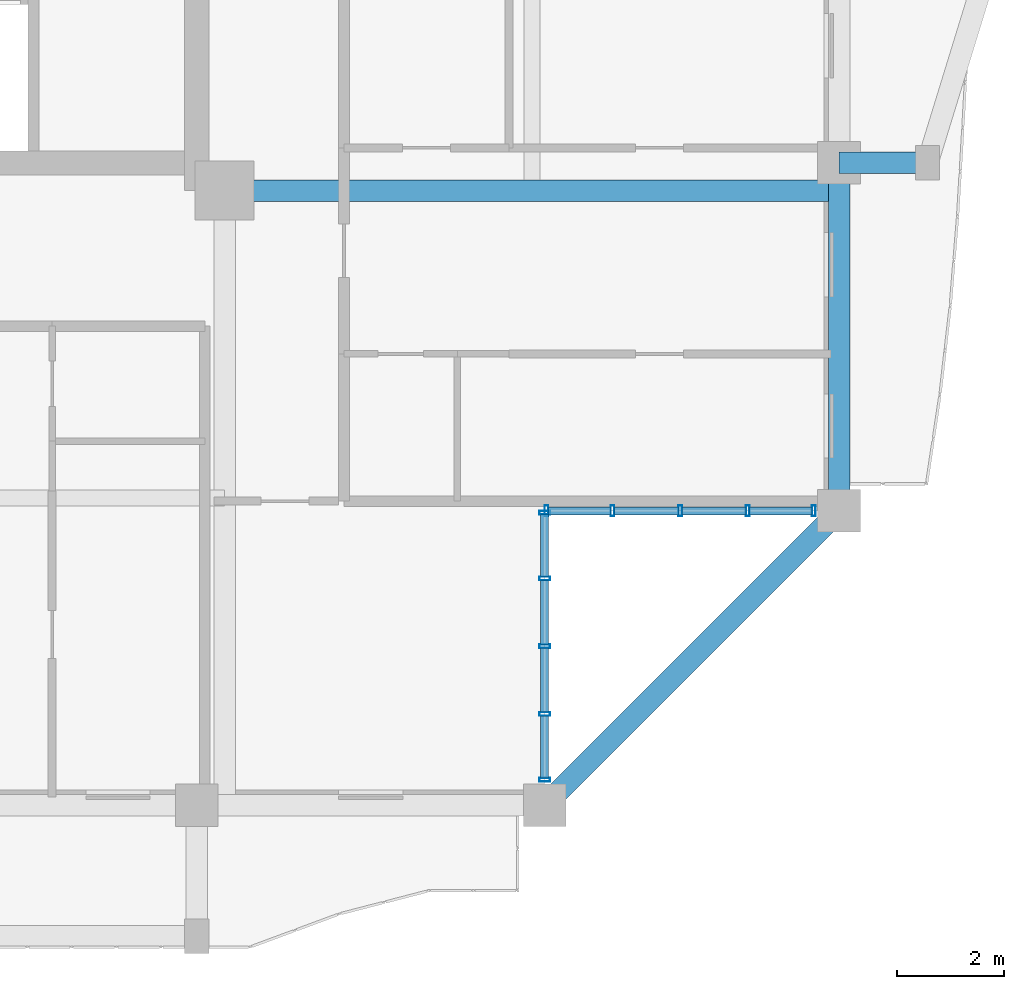
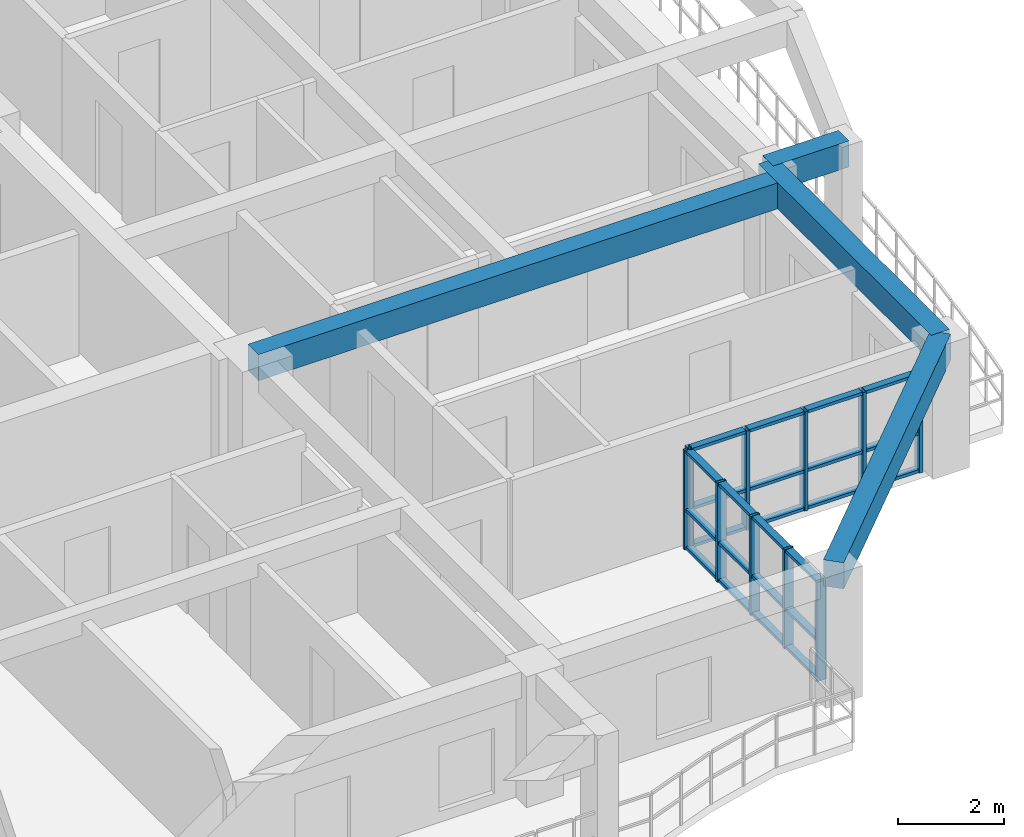
# One storey, part 4 of 22: 34 members, 4 beams, 2 elements without a shape of their own.
"""IFC4 building model written with IfcOpenShell, lengths in metres."""

import ifcopenshell
import ifcopenshell.guid

model = None  # the IFC model being written
_history = None  # IfcOwnerHistory: only IFC2X3 demands one
_inside = {}  # id of a spatial element -> (the spatial element, [elements in it])
_under = {}  # id of a project, library or spatial element -> (it, [spatial elements below it])
_declared = {}  # id of a project -> (the project, [libraries it declares])
_typed = {}  # id of a type object -> (the type object, [elements of that type])
_made_of = {}  # id of a material, layer set ... -> (it, [elements and type objects made of it])


def new_model(schema):
    """Start an empty IFC model of exactly this schema.

    Asked for "IFC4X3", IfcOpenShell would pick the latest addendum, in which some entities
    have other attributes; the version numbers below select the first issue.
    IFC2X3 requires an IfcOwnerHistory on every rooted entity: one is made here for all.
    """
    global model, _history
    if schema == "IFC4X3":
        model = ifcopenshell.file(schema_version=(4, 3, 0, 0))
    else:
        model = ifcopenshell.file(schema=schema)
    _inside.clear()
    _under.clear()
    _declared.clear()
    _typed.clear()
    _made_of.clear()
    _history = None
    if model.schema == "IFC2X3":
        org = make("IfcOrganization", Name="unknown")
        user = make(
            "IfcPersonAndOrganization",
            ThePerson=make("IfcPerson", FamilyName="unknown"),
            TheOrganization=org,
        )
        app = make(
            "IfcApplication",
            ApplicationDeveloper=org,
            Version="unknown",
            ApplicationFullName="unknown",
            ApplicationIdentifier="unknown",
        )
        _history = make(
            "IfcOwnerHistory",
            OwningUser=user,
            OwningApplication=app,
            ChangeAction="ADDED",
            CreationDate=0,
        )
    return model


def make(cls, **values):
    """One entity of the class cls with the attributes given. An attribute that is None is left unset."""
    return model.create_entity(
        cls, **{name: value for name, value in values.items() if value is not None}
    )


def rooted(cls, **values):
    """An entity with a GlobalId (a new one), such as an element, a storey or a relation."""
    return make(cls, GlobalId=ifcopenshell.guid.new(), OwnerHistory=_history, **values)


def si_unit(unit_type, name, prefix=None):
    """IfcSIUnit, for example si_unit("LENGTHUNIT", "METRE", prefix="MILLI")."""
    return make("IfcSIUnit", UnitType=unit_type, Prefix=prefix, Name=name)


def assignment(units):
    """IfcUnitAssignment: the units of a project."""
    return None if units is None else make("IfcUnitAssignment", Units=units)


def point(xyz):
    """IfcCartesianPoint."""
    return None if xyz is None else make("IfcCartesianPoint", Coordinates=xyz)


def direction(xyz):
    """IfcDirection."""
    return None if xyz is None else make("IfcDirection", DirectionRatios=xyz)


def frame(location, z_axis=None, x_axis=None):
    """IfcAxis2Placement3D, a coordinate frame: its origin and axes. An axis left out is left unset."""
    return make(
        "IfcAxis2Placement3D",
        Location=point(location),
        Axis=direction(z_axis),
        RefDirection=direction(x_axis),
    )


def frame_2d(location, x_axis=None):
    """IfcAxis2Placement2D, a coordinate frame in the plane: its origin and x axis."""
    return make(
        "IfcAxis2Placement2D", Location=point(location), RefDirection=direction(x_axis)
    )


def origin():
    """The frame at (0, 0, 0) with its axes left unset."""
    return frame((0.0, 0.0, 0.0))


def origin_2d():
    """The frame at (0, 0) in the plane with its x axis left unset."""
    return frame_2d((0.0, 0.0))


def place(relative_to, where):
    """IfcLocalPlacement: puts the frame where relative to a parent placement (None: the world)."""
    return make(
        "IfcLocalPlacement", PlacementRelTo=relative_to, RelativePlacement=where
    )


def context(
    kind, dimensions, precision=None, world=None, true_north=None, identifier=None
):
    """IfcGeometricRepresentationContext, for example the 3D "Model" context."""
    return make(
        "IfcGeometricRepresentationContext",
        ContextIdentifier=identifier,
        ContextType=kind,
        CoordinateSpaceDimension=dimensions,
        Precision=precision,
        WorldCoordinateSystem=world,
        TrueNorth=true_north,
    )


def subcontext(parent, identifier, kind, view, scale=None):
    """IfcGeometricRepresentationSubContext, for example "Body" below "Model"."""
    return make(
        "IfcGeometricRepresentationSubContext",
        ContextIdentifier=identifier,
        ContextType=kind,
        ParentContext=parent,
        TargetScale=scale,
        TargetView=view,
    )


def project(units=None, contexts=None):
    """IfcProject with its units and contexts."""
    return rooted(
        "IfcProject",
        Name="project",
        RepresentationContexts=contexts,
        UnitsInContext=assignment(units),
    )


def spatial(cls, under=None, at=None, **own):
    """A site, building, storey or space (cls), placed at a placement, below another one or the project."""
    s = rooted(cls, ObjectPlacement=at, **own)
    if under is not None:
        _under.setdefault(under.id(), (under, []))[1].append(s)
    return s


def profile(cls, at=None, kind="AREA", **sizes):
    """A parametric profile (cls). Its sizes go by their IFC names, for example OverallWidth=200.0."""
    return make(cls, ProfileType=kind, Position=at, **sizes)


def rectangle(**sizes):
    """IfcRectangleProfileDef."""
    return profile("IfcRectangleProfileDef", **sizes)


def hollow_rectangle(**sizes):
    """IfcRectangleHollowProfileDef."""
    return profile("IfcRectangleHollowProfileDef", **sizes)


def extrude(swept, where, along, depth):
    """IfcExtrudedAreaSolid: the profile swept, set in the frame where, extruded along a direction by depth."""
    return make(
        "IfcExtrudedAreaSolid",
        SweptArea=swept,
        Position=where,
        ExtrudedDirection=direction(along),
        Depth=depth,
    )


def shape(context_of_items, identifier, shape_type, items):
    """IfcShapeRepresentation: the items that make up one representation, for example the "Body"."""
    return make(
        "IfcShapeRepresentation",
        ContextOfItems=context_of_items,
        RepresentationIdentifier=identifier,
        RepresentationType=shape_type,
        Items=items,
    )


def source(mapping_origin, context_of_items, identifier, shape_type, items):
    """IfcRepresentationMap: a shape defined once, which mapped items show again and again."""
    return make(
        "IfcRepresentationMap",
        MappingOrigin=mapping_origin,
        MappedRepresentation=shape(context_of_items, identifier, shape_type, items),
    )


def transform(
    local_origin,
    x_axis=None,
    y_axis=None,
    z_axis=None,
    scale=None,
    scale2=None,
    scale3=None,
    uniform=True,
):
    """IfcCartesianTransformationOperator3D, or its non-uniform kind. x_axis, y_axis, z_axis: its Axis1, 2, 3."""
    if uniform:
        return make(
            "IfcCartesianTransformationOperator3D",
            Axis1=direction(x_axis),
            Axis2=direction(y_axis),
            LocalOrigin=point(local_origin),
            Scale=scale,
            Axis3=direction(z_axis),
        )
    return make(
        "IfcCartesianTransformationOperator3DnonUniform",
        Axis1=direction(x_axis),
        Axis2=direction(y_axis),
        LocalOrigin=point(local_origin),
        Scale=scale,
        Axis3=direction(z_axis),
        Scale2=scale2,
        Scale3=scale3,
    )


def mapped(mapping_source, mapping_target):
    """IfcMappedItem: shows the shape of a source again, moved by a transform."""
    return make(
        "IfcMappedItem", MappingSource=mapping_source, MappingTarget=mapping_target
    )


def material(Name=None, Category=None):
    """IfcMaterial."""
    return make("IfcMaterial", Name=Name, Category=Category)


def layer(
    of_material, thickness, ventilated=None, Name=None, Category=None, Priority=None
):
    """IfcMaterialLayer: one layer of a wall or slab, of a material (None: an air gap)."""
    return make(
        "IfcMaterialLayer",
        Material=of_material,
        LayerThickness=thickness,
        IsVentilated=ventilated,
        Name=Name,
        Category=Category,
        Priority=Priority,
    )


def layer_set(layers, Name=None):
    """IfcMaterialLayerSet."""
    return make("IfcMaterialLayerSet", MaterialLayers=layers, LayerSetName=Name)


def material_profile(
    of_material, cross_section, Name=None, Category=None, Priority=None
):
    """IfcMaterialProfile: a cross section and its material."""
    return make(
        "IfcMaterialProfile",
        Name=Name,
        Material=of_material,
        Profile=cross_section,
        Priority=Priority,
        Category=Category,
    )


def profile_set(profiles, Name=None, composite=None):
    """IfcMaterialProfileSet."""
    return make(
        "IfcMaterialProfileSet",
        Name=Name,
        MaterialProfiles=profiles,
        CompositeProfile=composite,
    )


def made_of(thing, what):
    """Note that an element or type object is made of a material, layer set ...; save() writes the relation."""
    if what is not None:
        _made_of.setdefault(what.id(), (what, []))[1].append(thing)
    return thing


def type_object(cls, material=None, **own):
    """A type object (cls), such as IfcWallType, which elements share."""
    return made_of(rooted(cls, **own), material)


def element(
    cls,
    number,
    at=None,
    inside=None,
    cuts=None,
    type_object=None,
    material=None,
    context=None,
    identifier="Body",
    shape_type=None,
    held_by="IfcProductDefinitionShape",
    body=None,
    shapes=None,
    **own,
):
    """One element of the class cls, such as IfcWall. Its Tag is "e" and its number.

    at: its placement. inside: the storey or other place that contains it. cuts: it is an
    opening in that element (IfcRelVoidsElement). A single representation is given by context,
    identifier, shape_type and body (its items); several are given by shapes. held_by: the class
    of the entity that holds the representations. save() writes the other relations.
    """
    e = rooted(cls, Tag="e%d" % number, ObjectPlacement=at, **own)
    if body is not None:
        shapes = [shape(context, identifier, shape_type, body)]
    if shapes is not None:
        e.Representation = make(held_by, Representations=shapes)
    if inside is not None:
        _inside.setdefault(inside.id(), (inside, []))[1].append(e)
    if cuts is not None:
        rooted(
            "IfcRelVoidsElement", RelatingBuildingElement=cuts, RelatedOpeningElement=e
        )
    if type_object is not None:
        _typed.setdefault(type_object.id(), (type_object, []))[1].append(e)
    return made_of(e, material)


def aggregate(whole, parts):
    """IfcRelAggregates: a whole, such as a stair, and the parts it consists of."""
    return rooted("IfcRelAggregates", RelatingObject=whole, RelatedObjects=parts)


def save(model, path):
    """Write the relations noted so far, then the file.

    IfcRelAggregates (storeys below a building ...), IfcRelContainedInSpatialStructure (elements
    in a storey), IfcRelDefinesByType, IfcRelAssociatesMaterial and IfcRelDeclares: one each for
    every whole, place, type object, material and project.
    """
    for whole, parts in _under.values():
        aggregate(whole, parts)
    for where, things in _inside.values():
        rooted(
            "IfcRelContainedInSpatialStructure",
            RelatedElements=things,
            RelatingStructure=where,
        )
    for kind, things in _typed.values():
        rooted("IfcRelDefinesByType", RelatedObjects=things, RelatingType=kind)
    for what, things in _made_of.values():
        rooted("IfcRelAssociatesMaterial", RelatedObjects=things, RelatingMaterial=what)
    for by, libraries in _declared.values():
        rooted("IfcRelDeclares", RelatingContext=by, RelatedDefinitions=libraries)
    model.write(path)


model = new_model("IFC4")

# Units and contexts
model_context = context("Model", 3, precision=1e-05, world=origin(), true_north=direction((0.0, 1.0)))
body_context = subcontext(model_context, "Body", "Model", "MODEL_VIEW")
ifc_project = project(units=[si_unit("LENGTHUNIT", "METRE"), si_unit("AREAUNIT", "SQUARE_METRE"), si_unit("VOLUMEUNIT", "CUBIC_METRE"), si_unit("PLANEANGLEUNIT", "RADIAN"), si_unit("MASSUNIT", "GRAM", prefix="KILO")], contexts=[model_context])

# Site, building, storey
site_placement = place(None, origin())
site = spatial("IfcSite", under=ifc_project, at=site_placement, CompositionType="ELEMENT")
building_placement = place(site_placement, origin())
building = spatial("IfcBuilding", under=site, at=building_placement, Name="Saelheon Loggia Tower", CompositionType="ELEMENT")
storey_placement = place(building_placement, frame((0.0, 0.0, 196.60009765625)))
storey = spatial("IfcBuildingStorey", under=building, at=storey_placement, Name="L61", CompositionType="ELEMENT", Elevation=196.60009765625)

# Beams
ifc_material_1 = material(Name="Precast Concrete C45/55", Category="concrete")
ifc_material_profile_1 = material_profile(ifc_material_1, rectangle(XDim=0.39990234375, YDim=0.60009765625, at=origin_2d()), Name="RC-400x600")
ifc_profile_set_1 = profile_set([ifc_material_profile_1], Name="Precast Concrete C45/55")
beam_type_1 = type_object("IfcBeamType", Name="Beam_LoggiaTie_RC400x600", PredefinedType="BEAM", material=ifc_profile_set_1)
shared_shape_1 = source(origin(), body_context, "Body", "SweptSolid", [
    extrude(rectangle(XDim=0.39990234375, YDim=0.60009765625, at=origin_2d()), origin(), (0.0, 0.0, 1.0), 1.64990234375),
])
beam_1_placement = place(storey_placement, frame((56.5, 18.0, 2.699951171875), z_axis=(1.0, 0.0, 0.0), x_axis=(0.0, 1.0, 0.0)))
element("IfcBeam", 1, at=beam_1_placement, inside=storey, type_object=beam_type_1, Name="L61 Loggia Frame Tie Beam LP-E1", PredefinedType="BEAM", context=body_context, shape_type="MappedRepresentation", body=[
    mapped(shared_shape_1, transform((0.0, 0.0, 0.0), scale=1.0)),
])
ifc_material_2 = material(Name="Concrete C40/50", Category="concrete")
ifc_material_profile_2 = material_profile(ifc_material_2, rectangle(XDim=0.39990234375, YDim=0.60009765625, at=origin_2d()), Name="RC-400x600")
ifc_profile_set_2 = profile_set([ifc_material_profile_2], Name="Concrete C40/50")
beam_type_2 = type_object("IfcBeamType", Name="Beam_UpperGirder_RC400x600", PredefinedType="BEAM", material=ifc_profile_set_2)
shared_shape_2 = source(origin(), body_context, "Body", "SweptSolid", [
    extrude(rectangle(XDim=0.39990234375, YDim=0.60009765625, at=origin_2d()), origin(), (0.0, 0.0, 1.0), 11.47998046875),
])
beam_2_placement = place(storey_placement, frame((45.02001953125, 17.47998046875, 2.699951171875), z_axis=(1.0, 0.0, 0.0), x_axis=(0.0, 1.0, 0.0)))
element("IfcBeam", 2, at=beam_2_placement, inside=storey, type_object=beam_type_2, Name="L61 Radial Floor Girder RAD-SE-E", PredefinedType="BEAM", context=body_context, shape_type="MappedRepresentation", body=[
    mapped(shared_shape_2, transform((0.0, 0.0, 0.0), scale=1.0)),
])
ifc_material_profile_3 = material_profile(ifc_material_2, rectangle(XDim=0.39990234375, YDim=0.60009765625, at=origin_2d()), Name="RC-400x600")
ifc_profile_set_3 = profile_set([ifc_material_profile_3], Name="Concrete C40/50")
beam_type_3 = type_object("IfcBeamType", Name="Beam_PerimUpper_RC400x600", PredefinedType="BEAM", material=ifc_profile_set_3)
shared_shape_3 = source(origin(), body_context, "Body", "SweptSolid", [
    extrude(rectangle(XDim=0.39990234375, YDim=0.60009765625, at=origin_2d()), origin(), (0.0, 0.0, 1.0), 6.5),
])
beam_3_placement = place(storey_placement, frame((56.5, 11.5, 2.699951171875), z_axis=(0.0, 1.0, 0.0), x_axis=(-1.0, 0.0, 0.0)))
element("IfcBeam", 3, at=beam_3_placement, inside=storey, type_object=beam_type_3, Name="L61 Perimeter Frame Girder 05", PredefinedType="BEAM", context=body_context, shape_type="MappedRepresentation", body=[
    mapped(shared_shape_3, transform((0.0, 0.0, 0.0), scale=1.0)),
])
shared_shape_4 = source(origin(), body_context, "Body", "SweptSolid", [
    extrude(rectangle(XDim=0.39990234375, YDim=0.60009765625, at=origin_2d()), origin(), (0.0, 0.0, 1.0), 7.778076171875),
])
beam_4_placement = place(storey_placement, frame((51.0, 6.0, 2.699951171875), z_axis=(0.707106781187, 0.707106781187, 0.0), x_axis=(-0.707106781187, 0.707106781187, 0.0)))
element("IfcBeam", 4, at=beam_4_placement, inside=storey, type_object=beam_type_3, Name="L61 Perimeter Frame Girder 04", PredefinedType="BEAM", context=body_context, shape_type="MappedRepresentation", body=[
    mapped(shared_shape_4, transform((0.0, 0.0, 0.0), scale=1.0)),
])

# Curtain wall, members
ifc_material_3 = material(Name="High-Wind Aluminium and Triple Laminated Glass", Category="aluminium")
ifc_layer = layer(ifc_material_3, 0.179931640625)
ifc_layer_set = layer_set([ifc_layer], Name="High-Wind Aluminium and Triple Laminated Glass")
curtain_wall_type = type_object("IfcCurtainWallType", Name="CW_TowerLoggiaHigh", PredefinedType="NOTDEFINED", material=ifc_layer_set)
curtain_wall_1_placement = place(storey_placement, origin())
curtain_wall_1 = element("IfcCurtainWall", 5, at=curtain_wall_1_placement, inside=storey, type_object=curtain_wall_type, Name="L61 Corner Notch Glazing SE1", PredefinedType="NOTDEFINED")
ifc_material_4 = material(Name="Anodised Aluminium 6063-T6", Category="aluminium")
ifc_material_profile_4 = material_profile(ifc_material_4, hollow_rectangle(XDim=0.070068359375, YDim=0.199951171875, WallThickness=0.0048828125, at=origin_2d()), Name="RHS-200x70x5")
ifc_profile_set_4 = profile_set([ifc_material_profile_4], Name="Anodised Aluminium 6063-T6")
member_type_1 = type_object("IfcMemberType", Name="CW_TowerLoggiaHigh_Mullion", PredefinedType="MULLION", material=ifc_profile_set_4)
shared_shape_5 = source(origin(), body_context, "Body", "SweptSolid", [
    extrude(hollow_rectangle(XDim=0.070068359375, YDim=0.199951171875, WallThickness=0.0048828125, at=origin_2d()), origin(), (0.0, 0.0, 1.0), 2.27978515625),
])
member_1_placement = place(storey_placement, frame((51.0, 6.47509765625, 0.0), z_axis=(0.0, 0.0, 1.0), x_axis=(0.0, 1.0, 0.0)))
member_1 = element("IfcMember", 6, at=member_1_placement, type_object=member_type_1, Name="CW4 mullion 1", PredefinedType="MULLION", context=body_context, shape_type="MappedRepresentation", body=[
    mapped(shared_shape_5, transform((0.0, 0.0, 0.0), scale=1.0)),
])
member_2_placement = place(storey_placement, frame((51.0, 7.705078125, 0.0), z_axis=(0.0, 0.0, 1.0), x_axis=(0.0, 1.0, 0.0)))
member_2 = element("IfcMember", 7, at=member_2_placement, type_object=member_type_1, Name="CW4 mullion 2", PredefinedType="MULLION", context=body_context, shape_type="MappedRepresentation", body=[
    mapped(shared_shape_5, transform((0.0, 0.0, 0.0), scale=1.0)),
])
member_3_placement = place(storey_placement, frame((51.0, 8.969970703125, 0.0), z_axis=(0.0, 0.0, 1.0), x_axis=(0.0, 1.0, 0.0)))
member_3 = element("IfcMember", 8, at=member_3_placement, type_object=member_type_1, Name="CW4 mullion 3", PredefinedType="MULLION", context=body_context, shape_type="MappedRepresentation", body=[
    mapped(shared_shape_5, transform((0.0, 0.0, 0.0), scale=1.0)),
])
member_4_placement = place(storey_placement, frame((51.0, 10.235107421875, 0.0), z_axis=(0.0, 0.0, 1.0), x_axis=(0.0, 1.0, 0.0)))
member_4 = element("IfcMember", 9, at=member_4_placement, type_object=member_type_1, Name="CW4 mullion 4", PredefinedType="MULLION", context=body_context, shape_type="MappedRepresentation", body=[
    mapped(shared_shape_5, transform((0.0, 0.0, 0.0), scale=1.0)),
])
member_5_placement = place(storey_placement, frame((51.0, 11.465087890625, 0.0), z_axis=(0.0, 0.0, 1.0), x_axis=(0.0, 1.0, 0.0)))
member_5 = element("IfcMember", 10, at=member_5_placement, type_object=member_type_1, Name="CW4 mullion 5", PredefinedType="MULLION", context=body_context, shape_type="MappedRepresentation", body=[
    mapped(shared_shape_5, transform((0.0, 0.0, 0.0), scale=1.0)),
])

curtain_wall_2_placement = place(storey_placement, origin())
curtain_wall_2 = element("IfcCurtainWall", 11, at=curtain_wall_2_placement, inside=storey, type_object=curtain_wall_type, Name="L61 Corner Notch Glazing SE2", PredefinedType="NOTDEFINED")
member_6_placement = place(storey_placement, frame((51.034912109375, 11.5, 0.0), z_axis=(0.0, 0.0, 1.0), x_axis=(1.0, 0.0, 0.0)))
member_6 = element("IfcMember", 12, at=member_6_placement, type_object=member_type_1, Name="CW4 mullion 1", PredefinedType="MULLION", context=body_context, shape_type="MappedRepresentation", body=[
    mapped(shared_shape_5, transform((0.0, 0.0, 0.0), scale=1.0)),
])
member_7_placement = place(storey_placement, frame((52.264892578125, 11.5, 0.0), z_axis=(0.0, 0.0, 1.0), x_axis=(1.0, 0.0, 0.0)))
member_7 = element("IfcMember", 13, at=member_7_placement, type_object=member_type_1, Name="CW4 mullion 2", PredefinedType="MULLION", context=body_context, shape_type="MappedRepresentation", body=[
    mapped(shared_shape_5, transform((0.0, 0.0, 0.0), scale=1.0)),
])
member_8_placement = place(storey_placement, frame((53.530029296875, 11.5, 0.0), z_axis=(0.0, 0.0, 1.0), x_axis=(1.0, 0.0, 0.0)))
member_8 = element("IfcMember", 14, at=member_8_placement, type_object=member_type_1, Name="CW4 mullion 3", PredefinedType="MULLION", context=body_context, shape_type="MappedRepresentation", body=[
    mapped(shared_shape_5, transform((0.0, 0.0, 0.0), scale=1.0)),
])
member_9_placement = place(storey_placement, frame((54.794921875, 11.5, 0.0), z_axis=(0.0, 0.0, 1.0), x_axis=(1.0, 0.0, 0.0)))
member_9 = element("IfcMember", 15, at=member_9_placement, type_object=member_type_1, Name="CW4 mullion 4", PredefinedType="MULLION", context=body_context, shape_type="MappedRepresentation", body=[
    mapped(shared_shape_5, transform((0.0, 0.0, 0.0), scale=1.0)),
])
member_10_placement = place(storey_placement, frame((56.02490234375, 11.5, 0.0), z_axis=(0.0, 0.0, 1.0), x_axis=(1.0, 0.0, 0.0)))
member_10 = element("IfcMember", 16, at=member_10_placement, type_object=member_type_1, Name="CW4 mullion 5", PredefinedType="MULLION", context=body_context, shape_type="MappedRepresentation", body=[
    mapped(shared_shape_5, transform((0.0, 0.0, 0.0), scale=1.0)),
])

# Member
ifc_material_profile_5 = material_profile(ifc_material_4, hollow_rectangle(XDim=0.070068359375, YDim=0.14990234375, WallThickness=0.0048828125, at=origin_2d()), Name="RHS-150x70x5")
ifc_profile_set_5 = profile_set([ifc_material_profile_5], Name="Anodised Aluminium 6063-T6")
member_type_2 = type_object("IfcMemberType", Name="CW_TowerLoggiaHigh_Transom", PredefinedType="USERDEFINED", material=ifc_profile_set_5)
shared_shape_6 = source(origin(), body_context, "Body", "SweptSolid", [
    extrude(hollow_rectangle(XDim=0.070068359375, YDim=0.14990234375, WallThickness=0.0048828125, at=origin_2d()), origin(), (0.0, 0.0, 1.0), 1.159912109375),
])
member_11_placement = place(storey_placement, frame((51.0, 6.510009765625, 0.034912109375), z_axis=(0.0, 1.0, 0.0), x_axis=(0.0, 0.0, 1.0)))
member_11 = element("IfcMember", 17, at=member_11_placement, type_object=member_type_2, Name="CW4 transom 1.1", ObjectType="TRANSOM", PredefinedType="USERDEFINED", context=body_context, shape_type="MappedRepresentation", body=[
    mapped(shared_shape_6, transform((0.0, 0.0, 0.0), scale=1.0)),
])

member_12_placement = place(storey_placement, frame((51.0, 6.510009765625, 0.89990234375), z_axis=(0.0, 1.0, 0.0), x_axis=(0.0, 0.0, 1.0)))
member_12 = element("IfcMember", 18, at=member_12_placement, type_object=member_type_2, Name="CW4 transom 1.2", ObjectType="TRANSOM", PredefinedType="USERDEFINED", context=body_context, shape_type="MappedRepresentation", body=[
    mapped(shared_shape_6, transform((0.0, 0.0, 0.0), scale=1.0)),
])

member_13_placement = place(storey_placement, frame((51.0, 6.510009765625, 2.244873046875), z_axis=(0.0, 1.0, 0.0), x_axis=(0.0, 0.0, 1.0)))
member_13 = element("IfcMember", 19, at=member_13_placement, type_object=member_type_2, Name="CW4 transom 1.3", ObjectType="TRANSOM", PredefinedType="USERDEFINED", context=body_context, shape_type="MappedRepresentation", body=[
    mapped(shared_shape_6, transform((0.0, 0.0, 0.0), scale=1.0)),
])

member_14_placement = place(storey_placement, frame((51.0, 10.27001953125, 0.034912109375), z_axis=(0.0, 1.0, 0.0), x_axis=(0.0, 0.0, 1.0)))
member_14 = element("IfcMember", 20, at=member_14_placement, type_object=member_type_2, Name="CW4 transom 4.1", ObjectType="TRANSOM", PredefinedType="USERDEFINED", context=body_context, shape_type="MappedRepresentation", body=[
    mapped(shared_shape_6, transform((0.0, 0.0, 0.0), scale=1.0)),
])

member_15_placement = place(storey_placement, frame((51.0, 10.27001953125, 0.89990234375), z_axis=(0.0, 1.0, 0.0), x_axis=(0.0, 0.0, 1.0)))
member_15 = element("IfcMember", 21, at=member_15_placement, type_object=member_type_2, Name="CW4 transom 4.2", ObjectType="TRANSOM", PredefinedType="USERDEFINED", context=body_context, shape_type="MappedRepresentation", body=[
    mapped(shared_shape_6, transform((0.0, 0.0, 0.0), scale=1.0)),
])

member_16_placement = place(storey_placement, frame((51.0, 10.27001953125, 2.244873046875), z_axis=(0.0, 1.0, 0.0), x_axis=(0.0, 0.0, 1.0)))
member_16 = element("IfcMember", 22, at=member_16_placement, type_object=member_type_2, Name="CW4 transom 4.3", ObjectType="TRANSOM", PredefinedType="USERDEFINED", context=body_context, shape_type="MappedRepresentation", body=[
    mapped(shared_shape_6, transform((0.0, 0.0, 0.0), scale=1.0)),
])

member_17_placement = place(storey_placement, frame((51.070068359375, 11.5, 0.034912109375), z_axis=(1.0, 0.0, 0.0), x_axis=(0.0, 0.0, 1.0)))
member_17 = element("IfcMember", 23, at=member_17_placement, type_object=member_type_2, Name="CW4 transom 1.1", ObjectType="TRANSOM", PredefinedType="USERDEFINED", context=body_context, shape_type="MappedRepresentation", body=[
    mapped(shared_shape_6, transform((0.0, 0.0, 0.0), scale=1.0)),
])

member_18_placement = place(storey_placement, frame((51.070068359375, 11.5, 0.89990234375), z_axis=(1.0, 0.0, 0.0), x_axis=(0.0, 0.0, 1.0)))
member_18 = element("IfcMember", 24, at=member_18_placement, type_object=member_type_2, Name="CW4 transom 1.2", ObjectType="TRANSOM", PredefinedType="USERDEFINED", context=body_context, shape_type="MappedRepresentation", body=[
    mapped(shared_shape_6, transform((0.0, 0.0, 0.0), scale=1.0)),
])

member_19_placement = place(storey_placement, frame((51.070068359375, 11.5, 2.244873046875), z_axis=(1.0, 0.0, 0.0), x_axis=(0.0, 0.0, 1.0)))
member_19 = element("IfcMember", 25, at=member_19_placement, type_object=member_type_2, Name="CW4 transom 1.3", ObjectType="TRANSOM", PredefinedType="USERDEFINED", context=body_context, shape_type="MappedRepresentation", body=[
    mapped(shared_shape_6, transform((0.0, 0.0, 0.0), scale=1.0)),
])

member_20_placement = place(storey_placement, frame((54.830078125, 11.5, 0.034912109375), z_axis=(1.0, 0.0, 0.0), x_axis=(0.0, 0.0, 1.0)))
member_20 = element("IfcMember", 26, at=member_20_placement, type_object=member_type_2, Name="CW4 transom 4.1", ObjectType="TRANSOM", PredefinedType="USERDEFINED", context=body_context, shape_type="MappedRepresentation", body=[
    mapped(shared_shape_6, transform((0.0, 0.0, 0.0), scale=1.0)),
])

member_21_placement = place(storey_placement, frame((54.830078125, 11.5, 0.89990234375), z_axis=(1.0, 0.0, 0.0), x_axis=(0.0, 0.0, 1.0)))
member_21 = element("IfcMember", 27, at=member_21_placement, type_object=member_type_2, Name="CW4 transom 4.2", ObjectType="TRANSOM", PredefinedType="USERDEFINED", context=body_context, shape_type="MappedRepresentation", body=[
    mapped(shared_shape_6, transform((0.0, 0.0, 0.0), scale=1.0)),
])

member_22_placement = place(storey_placement, frame((54.830078125, 11.5, 2.244873046875), z_axis=(1.0, 0.0, 0.0), x_axis=(0.0, 0.0, 1.0)))
member_22 = element("IfcMember", 28, at=member_22_placement, type_object=member_type_2, Name="CW4 transom 4.3", ObjectType="TRANSOM", PredefinedType="USERDEFINED", context=body_context, shape_type="MappedRepresentation", body=[
    mapped(shared_shape_6, transform((0.0, 0.0, 0.0), scale=1.0)),
])

shared_shape_7 = source(origin(), body_context, "Body", "SweptSolid", [
    extrude(hollow_rectangle(XDim=0.070068359375, YDim=0.14990234375, WallThickness=0.0048828125, at=origin_2d()), origin(), (0.0, 0.0, 1.0), 1.195068359375),
])
member_23_placement = place(storey_placement, frame((51.0, 7.739990234375, 0.034912109375), z_axis=(0.0, 1.0, 0.0), x_axis=(0.0, 0.0, 1.0)))
member_23 = element("IfcMember", 29, at=member_23_placement, type_object=member_type_2, Name="CW4 transom 2.1", ObjectType="TRANSOM", PredefinedType="USERDEFINED", context=body_context, shape_type="MappedRepresentation", body=[
    mapped(shared_shape_7, transform((0.0, 0.0, 0.0), scale=1.0)),
])

member_24_placement = place(storey_placement, frame((51.0, 7.739990234375, 0.89990234375), z_axis=(0.0, 1.0, 0.0), x_axis=(0.0, 0.0, 1.0)))
member_24 = element("IfcMember", 30, at=member_24_placement, type_object=member_type_2, Name="CW4 transom 2.2", ObjectType="TRANSOM", PredefinedType="USERDEFINED", context=body_context, shape_type="MappedRepresentation", body=[
    mapped(shared_shape_7, transform((0.0, 0.0, 0.0), scale=1.0)),
])

member_25_placement = place(storey_placement, frame((51.0, 7.739990234375, 2.244873046875), z_axis=(0.0, 1.0, 0.0), x_axis=(0.0, 0.0, 1.0)))
member_25 = element("IfcMember", 31, at=member_25_placement, type_object=member_type_2, Name="CW4 transom 2.3", ObjectType="TRANSOM", PredefinedType="USERDEFINED", context=body_context, shape_type="MappedRepresentation", body=[
    mapped(shared_shape_7, transform((0.0, 0.0, 0.0), scale=1.0)),
])

member_26_placement = place(storey_placement, frame((51.0, 9.0048828125, 0.034912109375), z_axis=(0.0, 1.0, 0.0), x_axis=(0.0, 0.0, 1.0)))
member_26 = element("IfcMember", 32, at=member_26_placement, type_object=member_type_2, Name="CW4 transom 3.1", ObjectType="TRANSOM", PredefinedType="USERDEFINED", context=body_context, shape_type="MappedRepresentation", body=[
    mapped(shared_shape_7, transform((0.0, 0.0, 0.0), scale=1.0)),
])

member_27_placement = place(storey_placement, frame((51.0, 9.0048828125, 0.89990234375), z_axis=(0.0, 1.0, 0.0), x_axis=(0.0, 0.0, 1.0)))
member_27 = element("IfcMember", 33, at=member_27_placement, type_object=member_type_2, Name="CW4 transom 3.2", ObjectType="TRANSOM", PredefinedType="USERDEFINED", context=body_context, shape_type="MappedRepresentation", body=[
    mapped(shared_shape_7, transform((0.0, 0.0, 0.0), scale=1.0)),
])

member_28_placement = place(storey_placement, frame((51.0, 9.0048828125, 2.244873046875), z_axis=(0.0, 1.0, 0.0), x_axis=(0.0, 0.0, 1.0)))
member_28 = element("IfcMember", 34, at=member_28_placement, type_object=member_type_2, Name="CW4 transom 3.3", ObjectType="TRANSOM", PredefinedType="USERDEFINED", context=body_context, shape_type="MappedRepresentation", body=[
    mapped(shared_shape_7, transform((0.0, 0.0, 0.0), scale=1.0)),
])

aggregate(curtain_wall_1, [member_1, member_2, member_3, member_4, member_5, member_11, member_12, member_13, member_23, member_24, member_25, member_26, member_27, member_28, member_14, member_15, member_16])

member_29_placement = place(storey_placement, frame((52.300048828125, 11.5, 0.034912109375), z_axis=(1.0, 0.0, 0.0), x_axis=(0.0, 0.0, 1.0)))
member_29 = element("IfcMember", 35, at=member_29_placement, type_object=member_type_2, Name="CW4 transom 2.1", ObjectType="TRANSOM", PredefinedType="USERDEFINED", context=body_context, shape_type="MappedRepresentation", body=[
    mapped(shared_shape_7, transform((0.0, 0.0, 0.0), scale=1.0)),
])

member_30_placement = place(storey_placement, frame((52.300048828125, 11.5, 0.89990234375), z_axis=(1.0, 0.0, 0.0), x_axis=(0.0, 0.0, 1.0)))
member_30 = element("IfcMember", 36, at=member_30_placement, type_object=member_type_2, Name="CW4 transom 2.2", ObjectType="TRANSOM", PredefinedType="USERDEFINED", context=body_context, shape_type="MappedRepresentation", body=[
    mapped(shared_shape_7, transform((0.0, 0.0, 0.0), scale=1.0)),
])

member_31_placement = place(storey_placement, frame((52.300048828125, 11.5, 2.244873046875), z_axis=(1.0, 0.0, 0.0), x_axis=(0.0, 0.0, 1.0)))
member_31 = element("IfcMember", 37, at=member_31_placement, type_object=member_type_2, Name="CW4 transom 2.3", ObjectType="TRANSOM", PredefinedType="USERDEFINED", context=body_context, shape_type="MappedRepresentation", body=[
    mapped(shared_shape_7, transform((0.0, 0.0, 0.0), scale=1.0)),
])

member_32_placement = place(storey_placement, frame((53.56494140625, 11.5, 0.034912109375), z_axis=(1.0, 0.0, 0.0), x_axis=(0.0, 0.0, 1.0)))
member_32 = element("IfcMember", 38, at=member_32_placement, type_object=member_type_2, Name="CW4 transom 3.1", ObjectType="TRANSOM", PredefinedType="USERDEFINED", context=body_context, shape_type="MappedRepresentation", body=[
    mapped(shared_shape_7, transform((0.0, 0.0, 0.0), scale=1.0)),
])

member_33_placement = place(storey_placement, frame((53.56494140625, 11.5, 0.89990234375), z_axis=(1.0, 0.0, 0.0), x_axis=(0.0, 0.0, 1.0)))
member_33 = element("IfcMember", 39, at=member_33_placement, type_object=member_type_2, Name="CW4 transom 3.2", ObjectType="TRANSOM", PredefinedType="USERDEFINED", context=body_context, shape_type="MappedRepresentation", body=[
    mapped(shared_shape_7, transform((0.0, 0.0, 0.0), scale=1.0)),
])

member_34_placement = place(storey_placement, frame((53.56494140625, 11.5, 2.244873046875), z_axis=(1.0, 0.0, 0.0), x_axis=(0.0, 0.0, 1.0)))
member_34 = element("IfcMember", 40, at=member_34_placement, type_object=member_type_2, Name="CW4 transom 3.3", ObjectType="TRANSOM", PredefinedType="USERDEFINED", context=body_context, shape_type="MappedRepresentation", body=[
    mapped(shared_shape_7, transform((0.0, 0.0, 0.0), scale=1.0)),
])

aggregate(curtain_wall_2, [member_6, member_7, member_8, member_9, member_10, member_17, member_18, member_19, member_29, member_30, member_31, member_32, member_33, member_34, member_20, member_21, member_22])

save(model, "model.ifc")
